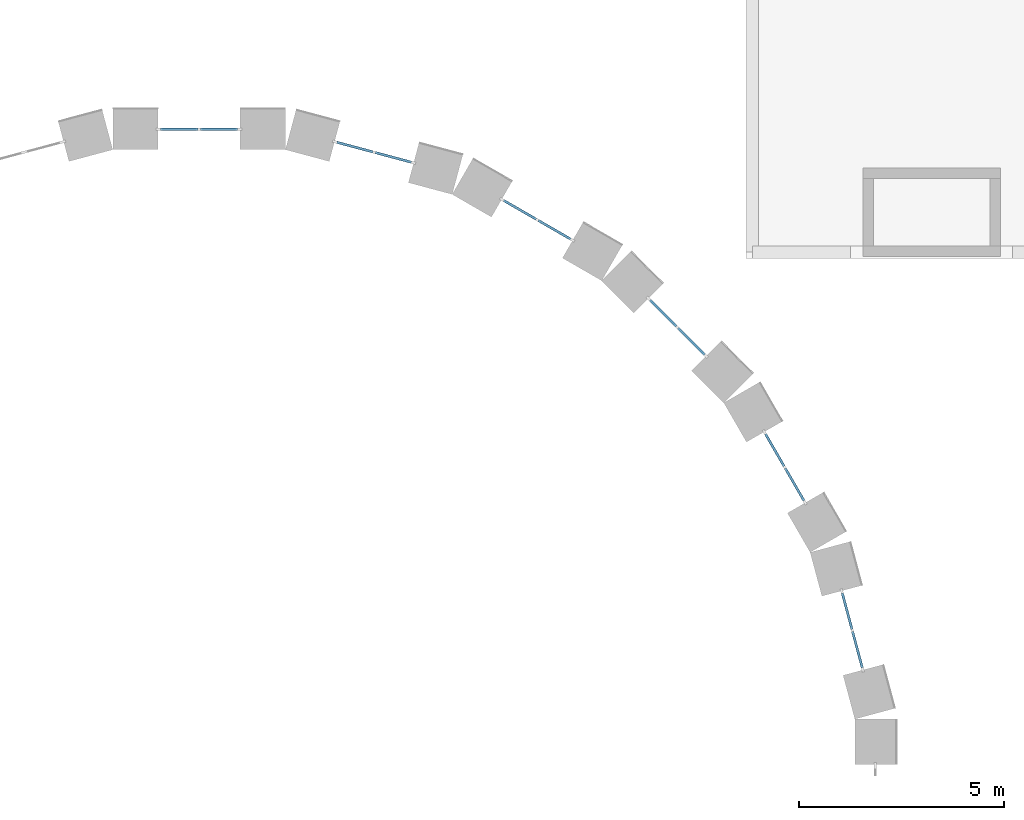
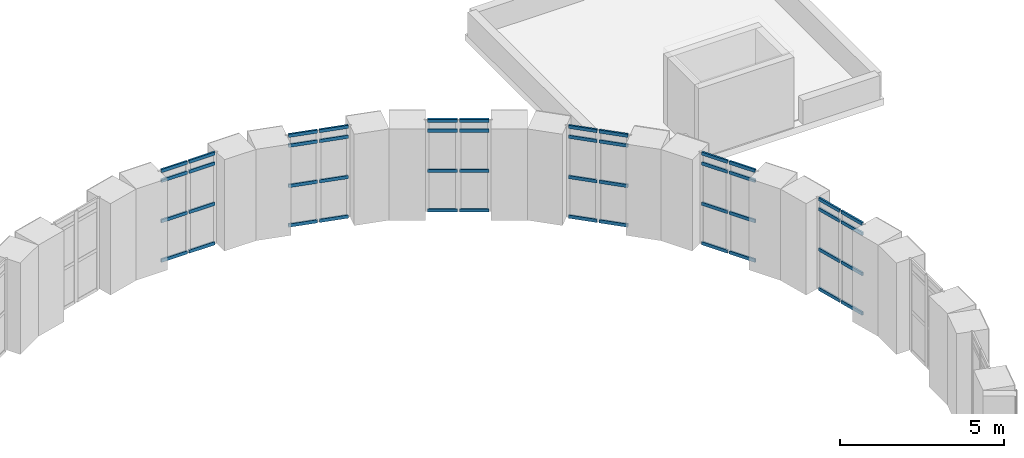
# One storey, part 17 of 42: 48 members, 6 elements without a shape of their own.
"""IFC4 building model written with IfcOpenShell, lengths in metres."""

from ifc_helpers import new_model, si_unit, direction, frame, origin, origin_2d, place, context, subcontext, project, spatial, rectangle, extrude, material, layer, layer_set, material_profile, profile_set, type_object, element, aggregate, save


model = new_model("IFC4")

# Units and contexts
model_context = context("Model", 3, precision=1e-05, world=origin(), true_north=direction((0.0, 1.0)))
body_context = subcontext(model_context, "Body", "Model", "MODEL_VIEW")
ifc_project = project(units=[si_unit("LENGTHUNIT", "METRE"), si_unit("AREAUNIT", "SQUARE_METRE"), si_unit("VOLUMEUNIT", "CUBIC_METRE"), si_unit("PLANEANGLEUNIT", "RADIAN"), si_unit("MASSUNIT", "GRAM", prefix="KILO")], contexts=[model_context])

# Site, building, storey
site_placement = place(None, origin())
site = spatial("IfcSite", under=ifc_project, at=site_placement, CompositionType="ELEMENT")
building_placement = place(site_placement, origin())
building = spatial("IfcBuilding", under=site, at=building_placement, Name="Golden Quay Civic Hall", CompositionType="ELEMENT")
storey_placement = place(building_placement, frame((0.0, 0.0, 22.800048828125)))
storey = spatial("IfcBuildingStorey", under=building, at=storey_placement, Name="L05", CompositionType="ELEMENT", Elevation=22.800048828125)

# Curtain wall, members
ifc_material_1 = material(Name="Glass, laminated double glazed", Category="glass")
ifc_layer = layer(ifc_material_1, 0.199951171875)
ifc_layer_set = layer_set([ifc_layer], Name="Glazed drum clerestory curtain wall")
curtain_wall_type = type_object("IfcCurtainWallType", Name="Glazed drum clerestory curtain wall", PredefinedType="NOTDEFINED", material=ifc_layer_set)
curtain_wall_1_placement = place(storey_placement, origin())
curtain_wall_1 = element("IfcCurtainWall", 1, at=curtain_wall_1_placement, inside=storey, type_object=curtain_wall_type, Name="Clerestory curtain wall 1", PredefinedType="NOTDEFINED")
ifc_material_2 = material(Name="Aluminium, anodised", Category="aluminium")
ifc_material_profile = material_profile(ifc_material_2, rectangle(XDim=0.06005859375, YDim=0.1201171875, at=origin_2d()), Name="Aluminium 60 x 120")
ifc_profile_set = profile_set([ifc_material_profile], Name="Aluminium, anodised")
member_type = type_object("IfcMemberType", Name="Aluminium transom 60 x 120", PredefinedType="USERDEFINED", material=ifc_profile_set)
member_1_placement = place(storey_placement, frame((101.68115234375, 88.862548828125, 0.329833984375), z_axis=(-0.258914897967, 0.965900137494, 0.0), x_axis=(-0.965900137494, -0.258914897967, 0.0)))
member_1 = element("IfcMember", 2, at=member_1_placement, type_object=member_type, Name="CW5 transom 1.1", ObjectType="TRANSOM", PredefinedType="USERDEFINED", context=body_context, shape_type="SweptSolid", body=[
    extrude(rectangle(XDim=0.06005859375, YDim=0.1201171875, at=origin_2d()), origin(), (0.0, 0.0, 1.0), 0.909912109375),
])
member_2_placement = place(storey_placement, frame((101.68115234375, 88.862548828125, 1.800048828125), z_axis=(-0.258914897967, 0.965900137494, 0.0), x_axis=(-0.965900137494, -0.258914897967, 0.0)))
member_2 = element("IfcMember", 3, at=member_2_placement, type_object=member_type, Name="CW5 transom 1.2", ObjectType="TRANSOM", PredefinedType="USERDEFINED", context=body_context, shape_type="SweptSolid", body=[
    extrude(rectangle(XDim=0.06005859375, YDim=0.1201171875, at=origin_2d()), origin(), (0.0, 0.0, 1.0), 0.909912109375),
])
member_3_placement = place(storey_placement, frame((101.68115234375, 88.862548828125, 3.300048828125), z_axis=(-0.258914897967, 0.965900137494, 0.0), x_axis=(-0.965900137494, -0.258914897967, 0.0)))
member_3 = element("IfcMember", 4, at=member_3_placement, type_object=member_type, Name="CW5 transom 1.3", ObjectType="TRANSOM", PredefinedType="USERDEFINED", context=body_context, shape_type="SweptSolid", body=[
    extrude(rectangle(XDim=0.06005859375, YDim=0.1201171875, at=origin_2d()), origin(), (0.0, 0.0, 1.0), 0.909912109375),
])
member_4_placement = place(storey_placement, frame((101.68115234375, 88.862548828125, 3.669921875), z_axis=(-0.258914897967, 0.965900137494, 0.0), x_axis=(-0.965900137494, -0.258914897967, 0.0)))
member_4 = element("IfcMember", 5, at=member_4_placement, type_object=member_type, Name="CW5 transom 1.4", ObjectType="TRANSOM", PredefinedType="USERDEFINED", context=body_context, shape_type="SweptSolid", body=[
    extrude(rectangle(XDim=0.06005859375, YDim=0.1201171875, at=origin_2d()), origin(), (0.0, 0.0, 1.0), 0.909912109375),
])
member_5_placement = place(storey_placement, frame((101.429931640625, 89.799560546875, 0.329833984375), z_axis=(-0.258664552677, 0.965967209168, 0.0), x_axis=(-0.965967209168, -0.258664552677, 0.0)))
member_5 = element("IfcMember", 6, at=member_5_placement, type_object=member_type, Name="CW5 transom 2.1", ObjectType="TRANSOM", PredefinedType="USERDEFINED", context=body_context, shape_type="SweptSolid", body=[
    extrude(rectangle(XDim=0.06005859375, YDim=0.1201171875, at=origin_2d()), origin(), (0.0, 0.0, 1.0), 0.909912109375),
])
member_6_placement = place(storey_placement, frame((101.429931640625, 89.799560546875, 1.800048828125), z_axis=(-0.258664552677, 0.965967209168, 0.0), x_axis=(-0.965967209168, -0.258664552677, 0.0)))
member_6 = element("IfcMember", 7, at=member_6_placement, type_object=member_type, Name="CW5 transom 2.2", ObjectType="TRANSOM", PredefinedType="USERDEFINED", context=body_context, shape_type="SweptSolid", body=[
    extrude(rectangle(XDim=0.06005859375, YDim=0.1201171875, at=origin_2d()), origin(), (0.0, 0.0, 1.0), 0.909912109375),
])
member_7_placement = place(storey_placement, frame((101.429931640625, 89.799560546875, 3.300048828125), z_axis=(-0.258664552677, 0.965967209168, 0.0), x_axis=(-0.965967209168, -0.258664552677, 0.0)))
member_7 = element("IfcMember", 8, at=member_7_placement, type_object=member_type, Name="CW5 transom 2.3", ObjectType="TRANSOM", PredefinedType="USERDEFINED", context=body_context, shape_type="SweptSolid", body=[
    extrude(rectangle(XDim=0.06005859375, YDim=0.1201171875, at=origin_2d()), origin(), (0.0, 0.0, 1.0), 0.909912109375),
])
member_8_placement = place(storey_placement, frame((101.429931640625, 89.799560546875, 3.669921875), z_axis=(-0.258664552677, 0.965967209168, 0.0), x_axis=(-0.965967209168, -0.258664552677, 0.0)))
member_8 = element("IfcMember", 9, at=member_8_placement, type_object=member_type, Name="CW5 transom 2.4", ObjectType="TRANSOM", PredefinedType="USERDEFINED", context=body_context, shape_type="SweptSolid", body=[
    extrude(rectangle(XDim=0.06005859375, YDim=0.1201171875, at=origin_2d()), origin(), (0.0, 0.0, 1.0), 0.909912109375),
])
aggregate(curtain_wall_1, [member_1, member_2, member_3, member_4, member_5, member_6, member_7, member_8])

curtain_wall_2_placement = place(storey_placement, origin())
curtain_wall_2 = element("IfcCurtainWall", 10, at=curtain_wall_2_placement, inside=storey, type_object=curtain_wall_type, Name="Clerestory curtain wall 2", PredefinedType="NOTDEFINED")
member_9_placement = place(storey_placement, frame((100.25927734375, 92.93603515625, 0.329833984375), z_axis=(-0.499861813449, 0.866105171129, 0.0), x_axis=(-0.866105171129, -0.499861813449, 0.0)))
member_9 = element("IfcMember", 11, at=member_9_placement, type_object=member_type, Name="CW5 transom 1.1", ObjectType="TRANSOM", PredefinedType="USERDEFINED", context=body_context, shape_type="SweptSolid", body=[
    extrude(rectangle(XDim=0.06005859375, YDim=0.1201171875, at=origin_2d()), origin(), (0.0, 0.0, 1.0), 0.909912109375),
])
member_10_placement = place(storey_placement, frame((100.25927734375, 92.93603515625, 1.800048828125), z_axis=(-0.499861813449, 0.866105171129, 0.0), x_axis=(-0.866105171129, -0.499861813449, 0.0)))
member_10 = element("IfcMember", 12, at=member_10_placement, type_object=member_type, Name="CW5 transom 1.2", ObjectType="TRANSOM", PredefinedType="USERDEFINED", context=body_context, shape_type="SweptSolid", body=[
    extrude(rectangle(XDim=0.06005859375, YDim=0.1201171875, at=origin_2d()), origin(), (0.0, 0.0, 1.0), 0.909912109375),
])
member_11_placement = place(storey_placement, frame((100.25927734375, 92.93603515625, 3.300048828125), z_axis=(-0.499861813449, 0.866105171129, 0.0), x_axis=(-0.866105171129, -0.499861813449, 0.0)))
member_11 = element("IfcMember", 13, at=member_11_placement, type_object=member_type, Name="CW5 transom 1.3", ObjectType="TRANSOM", PredefinedType="USERDEFINED", context=body_context, shape_type="SweptSolid", body=[
    extrude(rectangle(XDim=0.06005859375, YDim=0.1201171875, at=origin_2d()), origin(), (0.0, 0.0, 1.0), 0.909912109375),
])
member_12_placement = place(storey_placement, frame((100.25927734375, 92.93603515625, 3.669921875), z_axis=(-0.499861813449, 0.866105171129, 0.0), x_axis=(-0.866105171129, -0.499861813449, 0.0)))
member_12 = element("IfcMember", 14, at=member_12_placement, type_object=member_type, Name="CW5 transom 1.4", ObjectType="TRANSOM", PredefinedType="USERDEFINED", context=body_context, shape_type="SweptSolid", body=[
    extrude(rectangle(XDim=0.06005859375, YDim=0.1201171875, at=origin_2d()), origin(), (0.0, 0.0, 1.0), 0.909912109375),
])
member_13_placement = place(storey_placement, frame((99.7744140625, 93.77587890625, 0.329833984375), z_axis=(-0.500063042646, 0.865989003036, 0.0), x_axis=(-0.865989003036, -0.500063042646, 0.0)))
member_13 = element("IfcMember", 15, at=member_13_placement, type_object=member_type, Name="CW5 transom 2.1", ObjectType="TRANSOM", PredefinedType="USERDEFINED", context=body_context, shape_type="SweptSolid", body=[
    extrude(rectangle(XDim=0.06005859375, YDim=0.1201171875, at=origin_2d()), origin(), (0.0, 0.0, 1.0), 0.91015625),
])
member_14_placement = place(storey_placement, frame((99.7744140625, 93.77587890625, 1.800048828125), z_axis=(-0.500063042646, 0.865989003036, 0.0), x_axis=(-0.865989003036, -0.500063042646, 0.0)))
member_14 = element("IfcMember", 16, at=member_14_placement, type_object=member_type, Name="CW5 transom 2.2", ObjectType="TRANSOM", PredefinedType="USERDEFINED", context=body_context, shape_type="SweptSolid", body=[
    extrude(rectangle(XDim=0.06005859375, YDim=0.1201171875, at=origin_2d()), origin(), (0.0, 0.0, 1.0), 0.91015625),
])
member_15_placement = place(storey_placement, frame((99.7744140625, 93.77587890625, 3.300048828125), z_axis=(-0.500063042646, 0.865989003036, 0.0), x_axis=(-0.865989003036, -0.500063042646, 0.0)))
member_15 = element("IfcMember", 17, at=member_15_placement, type_object=member_type, Name="CW5 transom 2.3", ObjectType="TRANSOM", PredefinedType="USERDEFINED", context=body_context, shape_type="SweptSolid", body=[
    extrude(rectangle(XDim=0.06005859375, YDim=0.1201171875, at=origin_2d()), origin(), (0.0, 0.0, 1.0), 0.91015625),
])
member_16_placement = place(storey_placement, frame((99.7744140625, 93.77587890625, 3.669921875), z_axis=(-0.500063042646, 0.865989003036, 0.0), x_axis=(-0.865989003036, -0.500063042646, 0.0)))
member_16 = element("IfcMember", 18, at=member_16_placement, type_object=member_type, Name="CW5 transom 2.4", ObjectType="TRANSOM", PredefinedType="USERDEFINED", context=body_context, shape_type="SweptSolid", body=[
    extrude(rectangle(XDim=0.06005859375, YDim=0.1201171875, at=origin_2d()), origin(), (0.0, 0.0, 1.0), 0.91015625),
])
aggregate(curtain_wall_2, [member_9, member_10, member_11, member_12, member_13, member_14, member_15, member_16])

curtain_wall_3_placement = place(storey_placement, origin())
curtain_wall_3 = element("IfcCurtainWall", 19, at=curtain_wall_3_placement, inside=storey, type_object=curtain_wall_type, Name="Clerestory curtain wall 3", PredefinedType="NOTDEFINED")
member_17_placement = place(storey_placement, frame((97.83203125, 96.502685546875, 0.329833984375), z_axis=(-0.707240918863, 0.706972618059, 0.0), x_axis=(-0.706972618059, -0.707240918863, 0.0)))
member_17 = element("IfcMember", 20, at=member_17_placement, type_object=member_type, Name="CW5 transom 1.1", ObjectType="TRANSOM", PredefinedType="USERDEFINED", context=body_context, shape_type="SweptSolid", body=[
    extrude(rectangle(XDim=0.06005859375, YDim=0.1201171875, at=origin_2d()), origin(), (0.0, 0.0, 1.0), 0.909912109375),
])
member_18_placement = place(storey_placement, frame((97.83203125, 96.502685546875, 1.800048828125), z_axis=(-0.707240918863, 0.706972618059, 0.0), x_axis=(-0.706972618059, -0.707240918863, 0.0)))
member_18 = element("IfcMember", 21, at=member_18_placement, type_object=member_type, Name="CW5 transom 1.2", ObjectType="TRANSOM", PredefinedType="USERDEFINED", context=body_context, shape_type="SweptSolid", body=[
    extrude(rectangle(XDim=0.06005859375, YDim=0.1201171875, at=origin_2d()), origin(), (0.0, 0.0, 1.0), 0.909912109375),
])
member_19_placement = place(storey_placement, frame((97.83203125, 96.502685546875, 3.300048828125), z_axis=(-0.707240918863, 0.706972618059, 0.0), x_axis=(-0.706972618059, -0.707240918863, 0.0)))
member_19 = element("IfcMember", 22, at=member_19_placement, type_object=member_type, Name="CW5 transom 1.3", ObjectType="TRANSOM", PredefinedType="USERDEFINED", context=body_context, shape_type="SweptSolid", body=[
    extrude(rectangle(XDim=0.06005859375, YDim=0.1201171875, at=origin_2d()), origin(), (0.0, 0.0, 1.0), 0.909912109375),
])
member_20_placement = place(storey_placement, frame((97.83203125, 96.502685546875, 3.669921875), z_axis=(-0.707240918863, 0.706972618059, 0.0), x_axis=(-0.706972618059, -0.707240918863, 0.0)))
member_20 = element("IfcMember", 23, at=member_20_placement, type_object=member_type, Name="CW5 transom 1.4", ObjectType="TRANSOM", PredefinedType="USERDEFINED", context=body_context, shape_type="SweptSolid", body=[
    extrude(rectangle(XDim=0.06005859375, YDim=0.1201171875, at=origin_2d()), origin(), (0.0, 0.0, 1.0), 0.909912109375),
])
member_21_placement = place(storey_placement, frame((97.14599609375, 97.1884765625, 0.329833984375), z_axis=(-0.706972618059, 0.707240918863, 0.0), x_axis=(-0.707240918863, -0.706972618059, 0.0)))
member_21 = element("IfcMember", 24, at=member_21_placement, type_object=member_type, Name="CW5 transom 2.1", ObjectType="TRANSOM", PredefinedType="USERDEFINED", context=body_context, shape_type="SweptSolid", body=[
    extrude(rectangle(XDim=0.06005859375, YDim=0.1201171875, at=origin_2d()), origin(), (0.0, 0.0, 1.0), 0.909912109375),
])
member_22_placement = place(storey_placement, frame((97.14599609375, 97.1884765625, 1.800048828125), z_axis=(-0.706972618059, 0.707240918863, 0.0), x_axis=(-0.707240918863, -0.706972618059, 0.0)))
member_22 = element("IfcMember", 25, at=member_22_placement, type_object=member_type, Name="CW5 transom 2.2", ObjectType="TRANSOM", PredefinedType="USERDEFINED", context=body_context, shape_type="SweptSolid", body=[
    extrude(rectangle(XDim=0.06005859375, YDim=0.1201171875, at=origin_2d()), origin(), (0.0, 0.0, 1.0), 0.909912109375),
])
member_23_placement = place(storey_placement, frame((97.14599609375, 97.1884765625, 3.300048828125), z_axis=(-0.706972618059, 0.707240918863, 0.0), x_axis=(-0.707240918863, -0.706972618059, 0.0)))
member_23 = element("IfcMember", 26, at=member_23_placement, type_object=member_type, Name="CW5 transom 2.3", ObjectType="TRANSOM", PredefinedType="USERDEFINED", context=body_context, shape_type="SweptSolid", body=[
    extrude(rectangle(XDim=0.06005859375, YDim=0.1201171875, at=origin_2d()), origin(), (0.0, 0.0, 1.0), 0.909912109375),
])
member_24_placement = place(storey_placement, frame((97.14599609375, 97.1884765625, 3.669921875), z_axis=(-0.706972618059, 0.707240918863, 0.0), x_axis=(-0.707240918863, -0.706972618059, 0.0)))
member_24 = element("IfcMember", 27, at=member_24_placement, type_object=member_type, Name="CW5 transom 2.4", ObjectType="TRANSOM", PredefinedType="USERDEFINED", context=body_context, shape_type="SweptSolid", body=[
    extrude(rectangle(XDim=0.06005859375, YDim=0.1201171875, at=origin_2d()), origin(), (0.0, 0.0, 1.0), 0.909912109375),
])
aggregate(curtain_wall_3, [member_17, member_18, member_19, member_20, member_21, member_22, member_23, member_24])

curtain_wall_4_placement = place(storey_placement, origin())
curtain_wall_4 = element("IfcCurtainWall", 28, at=curtain_wall_4_placement, inside=storey, type_object=curtain_wall_type, Name="Clerestory curtain wall 4", PredefinedType="NOTDEFINED")
member_25_placement = place(storey_placement, frame((94.56396484375, 99.3193359375, 0.329833984375), z_axis=(-0.865989003036, 0.500063042646, 0.0), x_axis=(-0.500063042646, -0.865989003036, 0.0)))
member_25 = element("IfcMember", 29, at=member_25_placement, type_object=member_type, Name="CW5 transom 1.1", ObjectType="TRANSOM", PredefinedType="USERDEFINED", context=body_context, shape_type="SweptSolid", body=[
    extrude(rectangle(XDim=0.06005859375, YDim=0.1201171875, at=origin_2d()), origin(), (0.0, 0.0, 1.0), 0.91015625),
])
member_26_placement = place(storey_placement, frame((94.56396484375, 99.3193359375, 1.800048828125), z_axis=(-0.865989003036, 0.500063042646, 0.0), x_axis=(-0.500063042646, -0.865989003036, 0.0)))
member_26 = element("IfcMember", 30, at=member_26_placement, type_object=member_type, Name="CW5 transom 1.2", ObjectType="TRANSOM", PredefinedType="USERDEFINED", context=body_context, shape_type="SweptSolid", body=[
    extrude(rectangle(XDim=0.06005859375, YDim=0.1201171875, at=origin_2d()), origin(), (0.0, 0.0, 1.0), 0.91015625),
])
member_27_placement = place(storey_placement, frame((94.56396484375, 99.3193359375, 3.300048828125), z_axis=(-0.865989003036, 0.500063042646, 0.0), x_axis=(-0.500063042646, -0.865989003036, 0.0)))
member_27 = element("IfcMember", 31, at=member_27_placement, type_object=member_type, Name="CW5 transom 1.3", ObjectType="TRANSOM", PredefinedType="USERDEFINED", context=body_context, shape_type="SweptSolid", body=[
    extrude(rectangle(XDim=0.06005859375, YDim=0.1201171875, at=origin_2d()), origin(), (0.0, 0.0, 1.0), 0.91015625),
])
member_28_placement = place(storey_placement, frame((94.56396484375, 99.3193359375, 3.669921875), z_axis=(-0.865989003036, 0.500063042646, 0.0), x_axis=(-0.500063042646, -0.865989003036, 0.0)))
member_28 = element("IfcMember", 32, at=member_28_placement, type_object=member_type, Name="CW5 transom 1.4", ObjectType="TRANSOM", PredefinedType="USERDEFINED", context=body_context, shape_type="SweptSolid", body=[
    extrude(rectangle(XDim=0.06005859375, YDim=0.1201171875, at=origin_2d()), origin(), (0.0, 0.0, 1.0), 0.91015625),
])
member_29_placement = place(storey_placement, frame((93.72412109375, 99.804443359375, 0.329833984375), z_axis=(-0.866105171129, 0.499861813449, 0.0), x_axis=(-0.499861813449, -0.866105171129, 0.0)))
member_29 = element("IfcMember", 33, at=member_29_placement, type_object=member_type, Name="CW5 transom 2.1", ObjectType="TRANSOM", PredefinedType="USERDEFINED", context=body_context, shape_type="SweptSolid", body=[
    extrude(rectangle(XDim=0.06005859375, YDim=0.1201171875, at=origin_2d()), origin(), (0.0, 0.0, 1.0), 0.909912109375),
])
member_30_placement = place(storey_placement, frame((93.72412109375, 99.804443359375, 1.800048828125), z_axis=(-0.866105171129, 0.499861813449, 0.0), x_axis=(-0.499861813449, -0.866105171129, 0.0)))
member_30 = element("IfcMember", 34, at=member_30_placement, type_object=member_type, Name="CW5 transom 2.2", ObjectType="TRANSOM", PredefinedType="USERDEFINED", context=body_context, shape_type="SweptSolid", body=[
    extrude(rectangle(XDim=0.06005859375, YDim=0.1201171875, at=origin_2d()), origin(), (0.0, 0.0, 1.0), 0.909912109375),
])
member_31_placement = place(storey_placement, frame((93.72412109375, 99.804443359375, 3.300048828125), z_axis=(-0.866105171129, 0.499861813449, 0.0), x_axis=(-0.499861813449, -0.866105171129, 0.0)))
member_31 = element("IfcMember", 35, at=member_31_placement, type_object=member_type, Name="CW5 transom 2.3", ObjectType="TRANSOM", PredefinedType="USERDEFINED", context=body_context, shape_type="SweptSolid", body=[
    extrude(rectangle(XDim=0.06005859375, YDim=0.1201171875, at=origin_2d()), origin(), (0.0, 0.0, 1.0), 0.909912109375),
])
member_32_placement = place(storey_placement, frame((93.72412109375, 99.804443359375, 3.669921875), z_axis=(-0.866105171129, 0.499861813449, 0.0), x_axis=(-0.499861813449, -0.866105171129, 0.0)))
member_32 = element("IfcMember", 36, at=member_32_placement, type_object=member_type, Name="CW5 transom 2.4", ObjectType="TRANSOM", PredefinedType="USERDEFINED", context=body_context, shape_type="SweptSolid", body=[
    extrude(rectangle(XDim=0.06005859375, YDim=0.1201171875, at=origin_2d()), origin(), (0.0, 0.0, 1.0), 0.909912109375),
])
aggregate(curtain_wall_4, [member_25, member_26, member_27, member_28, member_29, member_30, member_31, member_32])

curtain_wall_5_placement = place(storey_placement, origin())
curtain_wall_5 = element("IfcCurtainWall", 37, at=curtain_wall_5_placement, inside=storey, type_object=curtain_wall_type, Name="Clerestory curtain wall 5", PredefinedType="NOTDEFINED")
member_33_placement = place(storey_placement, frame((90.678466796875, 101.194580078125, 0.329833984375), z_axis=(-0.965967209168, 0.258664552677, 0.0), x_axis=(-0.258664552677, -0.965967209168, 0.0)))
member_33 = element("IfcMember", 38, at=member_33_placement, type_object=member_type, Name="CW5 transom 1.1", ObjectType="TRANSOM", PredefinedType="USERDEFINED", context=body_context, shape_type="SweptSolid", body=[
    extrude(rectangle(XDim=0.06005859375, YDim=0.1201171875, at=origin_2d()), origin(), (0.0, 0.0, 1.0), 0.909912109375),
])
member_34_placement = place(storey_placement, frame((90.678466796875, 101.194580078125, 1.800048828125), z_axis=(-0.965967209168, 0.258664552677, 0.0), x_axis=(-0.258664552677, -0.965967209168, 0.0)))
member_34 = element("IfcMember", 39, at=member_34_placement, type_object=member_type, Name="CW5 transom 1.2", ObjectType="TRANSOM", PredefinedType="USERDEFINED", context=body_context, shape_type="SweptSolid", body=[
    extrude(rectangle(XDim=0.06005859375, YDim=0.1201171875, at=origin_2d()), origin(), (0.0, 0.0, 1.0), 0.909912109375),
])
member_35_placement = place(storey_placement, frame((90.678466796875, 101.194580078125, 3.300048828125), z_axis=(-0.965967209168, 0.258664552677, 0.0), x_axis=(-0.258664552677, -0.965967209168, 0.0)))
member_35 = element("IfcMember", 40, at=member_35_placement, type_object=member_type, Name="CW5 transom 1.3", ObjectType="TRANSOM", PredefinedType="USERDEFINED", context=body_context, shape_type="SweptSolid", body=[
    extrude(rectangle(XDim=0.06005859375, YDim=0.1201171875, at=origin_2d()), origin(), (0.0, 0.0, 1.0), 0.909912109375),
])
member_36_placement = place(storey_placement, frame((90.678466796875, 101.194580078125, 3.669921875), z_axis=(-0.965967209168, 0.258664552677, 0.0), x_axis=(-0.258664552677, -0.965967209168, 0.0)))
member_36 = element("IfcMember", 41, at=member_36_placement, type_object=member_type, Name="CW5 transom 1.4", ObjectType="TRANSOM", PredefinedType="USERDEFINED", context=body_context, shape_type="SweptSolid", body=[
    extrude(rectangle(XDim=0.06005859375, YDim=0.1201171875, at=origin_2d()), origin(), (0.0, 0.0, 1.0), 0.909912109375),
])
member_37_placement = place(storey_placement, frame((89.741455078125, 101.445556640625, 0.329833984375), z_axis=(-0.965900137494, 0.258914897967, 0.0), x_axis=(-0.258914897967, -0.965900137494, 0.0)))
member_37 = element("IfcMember", 42, at=member_37_placement, type_object=member_type, Name="CW5 transom 2.1", ObjectType="TRANSOM", PredefinedType="USERDEFINED", context=body_context, shape_type="SweptSolid", body=[
    extrude(rectangle(XDim=0.06005859375, YDim=0.1201171875, at=origin_2d()), origin(), (0.0, 0.0, 1.0), 0.909912109375),
])
member_38_placement = place(storey_placement, frame((89.741455078125, 101.445556640625, 1.800048828125), z_axis=(-0.965900137494, 0.258914897967, 0.0), x_axis=(-0.258914897967, -0.965900137494, 0.0)))
member_38 = element("IfcMember", 43, at=member_38_placement, type_object=member_type, Name="CW5 transom 2.2", ObjectType="TRANSOM", PredefinedType="USERDEFINED", context=body_context, shape_type="SweptSolid", body=[
    extrude(rectangle(XDim=0.06005859375, YDim=0.1201171875, at=origin_2d()), origin(), (0.0, 0.0, 1.0), 0.909912109375),
])
member_39_placement = place(storey_placement, frame((89.741455078125, 101.445556640625, 3.300048828125), z_axis=(-0.965900137494, 0.258914897967, 0.0), x_axis=(-0.258914897967, -0.965900137494, 0.0)))
member_39 = element("IfcMember", 44, at=member_39_placement, type_object=member_type, Name="CW5 transom 2.3", ObjectType="TRANSOM", PredefinedType="USERDEFINED", context=body_context, shape_type="SweptSolid", body=[
    extrude(rectangle(XDim=0.06005859375, YDim=0.1201171875, at=origin_2d()), origin(), (0.0, 0.0, 1.0), 0.909912109375),
])
member_40_placement = place(storey_placement, frame((89.741455078125, 101.445556640625, 3.669921875), z_axis=(-0.965900137494, 0.258914897967, 0.0), x_axis=(-0.258914897967, -0.965900137494, 0.0)))
member_40 = element("IfcMember", 45, at=member_40_placement, type_object=member_type, Name="CW5 transom 2.4", ObjectType="TRANSOM", PredefinedType="USERDEFINED", context=body_context, shape_type="SweptSolid", body=[
    extrude(rectangle(XDim=0.06005859375, YDim=0.1201171875, at=origin_2d()), origin(), (0.0, 0.0, 1.0), 0.909912109375),
])
aggregate(curtain_wall_5, [member_33, member_34, member_35, member_36, member_37, member_38, member_39, member_40])

curtain_wall_6_placement = place(storey_placement, origin())
curtain_wall_6 = element("IfcCurtainWall", 46, at=curtain_wall_6_placement, inside=storey, type_object=curtain_wall_type, Name="Clerestory curtain wall 6", PredefinedType="NOTDEFINED")
member_41_placement = place(storey_placement, frame((86.43994140625, 102.0, 0.329833984375), z_axis=(-1.0, 0.0, 0.0), x_axis=(0.0, -1.0, 0.0)))
member_41 = element("IfcMember", 47, at=member_41_placement, type_object=member_type, Name="CW5 transom 1.1", ObjectType="TRANSOM", PredefinedType="USERDEFINED", context=body_context, shape_type="SweptSolid", body=[
    extrude(rectangle(XDim=0.06005859375, YDim=0.1201171875, at=origin_2d()), origin(), (0.0, 0.0, 1.0), 0.909912109375),
])
member_42_placement = place(storey_placement, frame((86.43994140625, 102.0, 1.800048828125), z_axis=(-1.0, 0.0, 0.0), x_axis=(0.0, -1.0, 0.0)))
member_42 = element("IfcMember", 48, at=member_42_placement, type_object=member_type, Name="CW5 transom 1.2", ObjectType="TRANSOM", PredefinedType="USERDEFINED", context=body_context, shape_type="SweptSolid", body=[
    extrude(rectangle(XDim=0.06005859375, YDim=0.1201171875, at=origin_2d()), origin(), (0.0, 0.0, 1.0), 0.909912109375),
])
member_43_placement = place(storey_placement, frame((86.43994140625, 102.0, 3.300048828125), z_axis=(-1.0, 0.0, 0.0), x_axis=(0.0, -1.0, 0.0)))
member_43 = element("IfcMember", 49, at=member_43_placement, type_object=member_type, Name="CW5 transom 1.3", ObjectType="TRANSOM", PredefinedType="USERDEFINED", context=body_context, shape_type="SweptSolid", body=[
    extrude(rectangle(XDim=0.06005859375, YDim=0.1201171875, at=origin_2d()), origin(), (0.0, 0.0, 1.0), 0.909912109375),
])
member_44_placement = place(storey_placement, frame((86.43994140625, 102.0, 3.669921875), z_axis=(-1.0, 0.0, 0.0), x_axis=(0.0, -1.0, 0.0)))
member_44 = element("IfcMember", 50, at=member_44_placement, type_object=member_type, Name="CW5 transom 1.4", ObjectType="TRANSOM", PredefinedType="USERDEFINED", context=body_context, shape_type="SweptSolid", body=[
    extrude(rectangle(XDim=0.06005859375, YDim=0.1201171875, at=origin_2d()), origin(), (0.0, 0.0, 1.0), 0.909912109375),
])
member_45_placement = place(storey_placement, frame((85.469970703125, 102.0, 0.329833984375), z_axis=(-1.0, 0.0, 0.0), x_axis=(0.0, -1.0, 0.0)))
member_45 = element("IfcMember", 51, at=member_45_placement, type_object=member_type, Name="CW5 transom 2.1", ObjectType="TRANSOM", PredefinedType="USERDEFINED", context=body_context, shape_type="SweptSolid", body=[
    extrude(rectangle(XDim=0.06005859375, YDim=0.1201171875, at=origin_2d()), origin(), (0.0, 0.0, 1.0), 0.909912109375),
])
member_46_placement = place(storey_placement, frame((85.469970703125, 102.0, 1.800048828125), z_axis=(-1.0, 0.0, 0.0), x_axis=(0.0, -1.0, 0.0)))
member_46 = element("IfcMember", 52, at=member_46_placement, type_object=member_type, Name="CW5 transom 2.2", ObjectType="TRANSOM", PredefinedType="USERDEFINED", context=body_context, shape_type="SweptSolid", body=[
    extrude(rectangle(XDim=0.06005859375, YDim=0.1201171875, at=origin_2d()), origin(), (0.0, 0.0, 1.0), 0.909912109375),
])
member_47_placement = place(storey_placement, frame((85.469970703125, 102.0, 3.300048828125), z_axis=(-1.0, 0.0, 0.0), x_axis=(0.0, -1.0, 0.0)))
member_47 = element("IfcMember", 53, at=member_47_placement, type_object=member_type, Name="CW5 transom 2.3", ObjectType="TRANSOM", PredefinedType="USERDEFINED", context=body_context, shape_type="SweptSolid", body=[
    extrude(rectangle(XDim=0.06005859375, YDim=0.1201171875, at=origin_2d()), origin(), (0.0, 0.0, 1.0), 0.909912109375),
])
member_48_placement = place(storey_placement, frame((85.469970703125, 102.0, 3.669921875), z_axis=(-1.0, 0.0, 0.0), x_axis=(0.0, -1.0, 0.0)))
member_48 = element("IfcMember", 54, at=member_48_placement, type_object=member_type, Name="CW5 transom 2.4", ObjectType="TRANSOM", PredefinedType="USERDEFINED", context=body_context, shape_type="SweptSolid", body=[
    extrude(rectangle(XDim=0.06005859375, YDim=0.1201171875, at=origin_2d()), origin(), (0.0, 0.0, 1.0), 0.909912109375),
])
aggregate(curtain_wall_6, [member_41, member_42, member_43, member_44, member_45, member_46, member_47, member_48])

save(model, "model.ifc")
